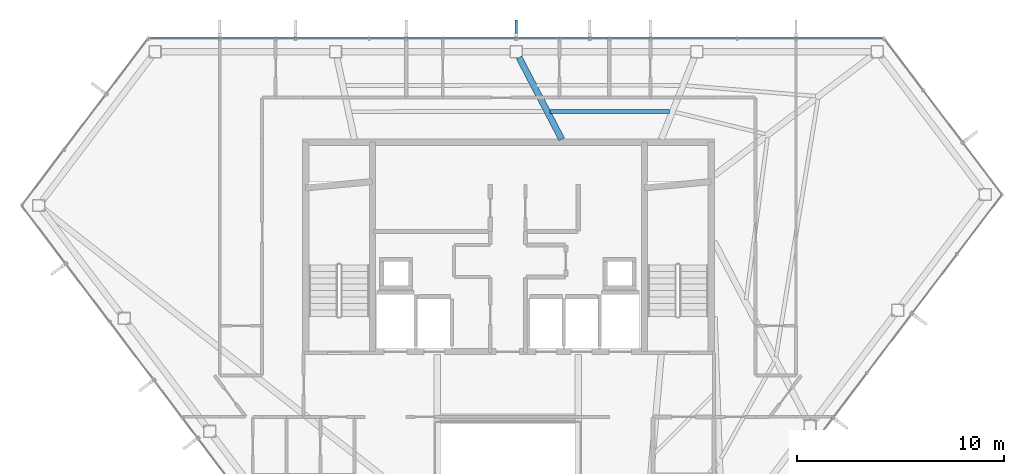
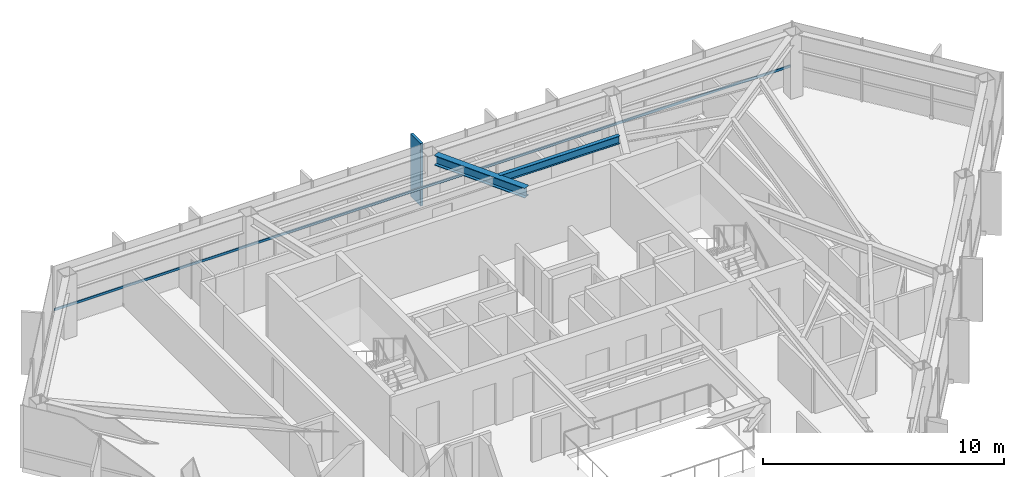
# One storey, part 12 of 25: 2 beams, 2 members, 1 element without a shape of its own.
"""IFC4 building model written with IfcOpenShell, lengths in metres."""

import ifcopenshell
import ifcopenshell.guid

model = None  # the IFC model being written
_history = None  # IfcOwnerHistory: only IFC2X3 demands one
_inside = {}  # id of a spatial element -> (the spatial element, [elements in it])
_under = {}  # id of a project, library or spatial element -> (it, [spatial elements below it])
_declared = {}  # id of a project -> (the project, [libraries it declares])
_typed = {}  # id of a type object -> (the type object, [elements of that type])
_made_of = {}  # id of a material, layer set ... -> (it, [elements and type objects made of it])


def new_model(schema):
    """Start an empty IFC model of exactly this schema.

    Asked for "IFC4X3", IfcOpenShell would pick the latest addendum, in which some entities
    have other attributes; the version numbers below select the first issue.
    IFC2X3 requires an IfcOwnerHistory on every rooted entity: one is made here for all.
    """
    global model, _history
    if schema == "IFC4X3":
        model = ifcopenshell.file(schema_version=(4, 3, 0, 0))
    else:
        model = ifcopenshell.file(schema=schema)
    _inside.clear()
    _under.clear()
    _declared.clear()
    _typed.clear()
    _made_of.clear()
    _history = None
    if model.schema == "IFC2X3":
        org = make("IfcOrganization", Name="unknown")
        user = make(
            "IfcPersonAndOrganization",
            ThePerson=make("IfcPerson", FamilyName="unknown"),
            TheOrganization=org,
        )
        app = make(
            "IfcApplication",
            ApplicationDeveloper=org,
            Version="unknown",
            ApplicationFullName="unknown",
            ApplicationIdentifier="unknown",
        )
        _history = make(
            "IfcOwnerHistory",
            OwningUser=user,
            OwningApplication=app,
            ChangeAction="ADDED",
            CreationDate=0,
        )
    return model


def make(cls, **values):
    """One entity of the class cls with the attributes given. An attribute that is None is left unset."""
    return model.create_entity(
        cls, **{name: value for name, value in values.items() if value is not None}
    )


def rooted(cls, **values):
    """An entity with a GlobalId (a new one), such as an element, a storey or a relation."""
    return make(cls, GlobalId=ifcopenshell.guid.new(), OwnerHistory=_history, **values)


def si_unit(unit_type, name, prefix=None):
    """IfcSIUnit, for example si_unit("LENGTHUNIT", "METRE", prefix="MILLI")."""
    return make("IfcSIUnit", UnitType=unit_type, Prefix=prefix, Name=name)


def assignment(units):
    """IfcUnitAssignment: the units of a project."""
    return None if units is None else make("IfcUnitAssignment", Units=units)


def point(xyz):
    """IfcCartesianPoint."""
    return None if xyz is None else make("IfcCartesianPoint", Coordinates=xyz)


def direction(xyz):
    """IfcDirection."""
    return None if xyz is None else make("IfcDirection", DirectionRatios=xyz)


def frame(location, z_axis=None, x_axis=None):
    """IfcAxis2Placement3D, a coordinate frame: its origin and axes. An axis left out is left unset."""
    return make(
        "IfcAxis2Placement3D",
        Location=point(location),
        Axis=direction(z_axis),
        RefDirection=direction(x_axis),
    )


def frame_2d(location, x_axis=None):
    """IfcAxis2Placement2D, a coordinate frame in the plane: its origin and x axis."""
    return make(
        "IfcAxis2Placement2D", Location=point(location), RefDirection=direction(x_axis)
    )


def origin():
    """The frame at (0, 0, 0) with its axes left unset."""
    return frame((0.0, 0.0, 0.0))


def origin_2d():
    """The frame at (0, 0) in the plane with its x axis left unset."""
    return frame_2d((0.0, 0.0))


def place(relative_to, where):
    """IfcLocalPlacement: puts the frame where relative to a parent placement (None: the world)."""
    return make(
        "IfcLocalPlacement", PlacementRelTo=relative_to, RelativePlacement=where
    )


def context(
    kind, dimensions, precision=None, world=None, true_north=None, identifier=None
):
    """IfcGeometricRepresentationContext, for example the 3D "Model" context."""
    return make(
        "IfcGeometricRepresentationContext",
        ContextIdentifier=identifier,
        ContextType=kind,
        CoordinateSpaceDimension=dimensions,
        Precision=precision,
        WorldCoordinateSystem=world,
        TrueNorth=true_north,
    )


def subcontext(parent, identifier, kind, view, scale=None):
    """IfcGeometricRepresentationSubContext, for example "Body" below "Model"."""
    return make(
        "IfcGeometricRepresentationSubContext",
        ContextIdentifier=identifier,
        ContextType=kind,
        ParentContext=parent,
        TargetScale=scale,
        TargetView=view,
    )


def project(units=None, contexts=None):
    """IfcProject with its units and contexts."""
    return rooted(
        "IfcProject",
        Name="project",
        RepresentationContexts=contexts,
        UnitsInContext=assignment(units),
    )


def spatial(cls, under=None, at=None, **own):
    """A site, building, storey or space (cls), placed at a placement, below another one or the project."""
    s = rooted(cls, ObjectPlacement=at, **own)
    if under is not None:
        _under.setdefault(under.id(), (under, []))[1].append(s)
    return s


def profile(cls, at=None, kind="AREA", **sizes):
    """A parametric profile (cls). Its sizes go by their IFC names, for example OverallWidth=200.0."""
    return make(cls, ProfileType=kind, Position=at, **sizes)


def rectangle(**sizes):
    """IfcRectangleProfileDef."""
    return profile("IfcRectangleProfileDef", **sizes)


def hollow_rectangle(**sizes):
    """IfcRectangleHollowProfileDef."""
    return profile("IfcRectangleHollowProfileDef", **sizes)


def i_section(**sizes):
    """IfcIShapeProfileDef."""
    return profile("IfcIShapeProfileDef", **sizes)


def extrude(swept, where, along, depth):
    """IfcExtrudedAreaSolid: the profile swept, set in the frame where, extruded along a direction by depth."""
    return make(
        "IfcExtrudedAreaSolid",
        SweptArea=swept,
        Position=where,
        ExtrudedDirection=direction(along),
        Depth=depth,
    )


def shape(context_of_items, identifier, shape_type, items):
    """IfcShapeRepresentation: the items that make up one representation, for example the "Body"."""
    return make(
        "IfcShapeRepresentation",
        ContextOfItems=context_of_items,
        RepresentationIdentifier=identifier,
        RepresentationType=shape_type,
        Items=items,
    )


def material(Name=None, Category=None):
    """IfcMaterial."""
    return make("IfcMaterial", Name=Name, Category=Category)


def layer(
    of_material, thickness, ventilated=None, Name=None, Category=None, Priority=None
):
    """IfcMaterialLayer: one layer of a wall or slab, of a material (None: an air gap)."""
    return make(
        "IfcMaterialLayer",
        Material=of_material,
        LayerThickness=thickness,
        IsVentilated=ventilated,
        Name=Name,
        Category=Category,
        Priority=Priority,
    )


def layer_set(layers, Name=None):
    """IfcMaterialLayerSet."""
    return make("IfcMaterialLayerSet", MaterialLayers=layers, LayerSetName=Name)


def material_profile(
    of_material, cross_section, Name=None, Category=None, Priority=None
):
    """IfcMaterialProfile: a cross section and its material."""
    return make(
        "IfcMaterialProfile",
        Name=Name,
        Material=of_material,
        Profile=cross_section,
        Priority=Priority,
        Category=Category,
    )


def profile_set(profiles, Name=None, composite=None):
    """IfcMaterialProfileSet."""
    return make(
        "IfcMaterialProfileSet",
        Name=Name,
        MaterialProfiles=profiles,
        CompositeProfile=composite,
    )


def made_of(thing, what):
    """Note that an element or type object is made of a material, layer set ...; save() writes the relation."""
    if what is not None:
        _made_of.setdefault(what.id(), (what, []))[1].append(thing)
    return thing


def type_object(cls, material=None, **own):
    """A type object (cls), such as IfcWallType, which elements share."""
    return made_of(rooted(cls, **own), material)


def element(
    cls,
    number,
    at=None,
    inside=None,
    cuts=None,
    type_object=None,
    material=None,
    context=None,
    identifier="Body",
    shape_type=None,
    held_by="IfcProductDefinitionShape",
    body=None,
    shapes=None,
    **own,
):
    """One element of the class cls, such as IfcWall. Its Tag is "e" and its number.

    at: its placement. inside: the storey or other place that contains it. cuts: it is an
    opening in that element (IfcRelVoidsElement). A single representation is given by context,
    identifier, shape_type and body (its items); several are given by shapes. held_by: the class
    of the entity that holds the representations. save() writes the other relations.
    """
    e = rooted(cls, Tag="e%d" % number, ObjectPlacement=at, **own)
    if body is not None:
        shapes = [shape(context, identifier, shape_type, body)]
    if shapes is not None:
        e.Representation = make(held_by, Representations=shapes)
    if inside is not None:
        _inside.setdefault(inside.id(), (inside, []))[1].append(e)
    if cuts is not None:
        rooted(
            "IfcRelVoidsElement", RelatingBuildingElement=cuts, RelatedOpeningElement=e
        )
    if type_object is not None:
        _typed.setdefault(type_object.id(), (type_object, []))[1].append(e)
    return made_of(e, material)


def aggregate(whole, parts):
    """IfcRelAggregates: a whole, such as a stair, and the parts it consists of."""
    return rooted("IfcRelAggregates", RelatingObject=whole, RelatedObjects=parts)


def save(model, path):
    """Write the relations noted so far, then the file.

    IfcRelAggregates (storeys below a building ...), IfcRelContainedInSpatialStructure (elements
    in a storey), IfcRelDefinesByType, IfcRelAssociatesMaterial and IfcRelDeclares: one each for
    every whole, place, type object, material and project.
    """
    for whole, parts in _under.values():
        aggregate(whole, parts)
    for where, things in _inside.values():
        rooted(
            "IfcRelContainedInSpatialStructure",
            RelatedElements=things,
            RelatingStructure=where,
        )
    for kind, things in _typed.values():
        rooted("IfcRelDefinesByType", RelatedObjects=things, RelatingType=kind)
    for what, things in _made_of.values():
        rooted("IfcRelAssociatesMaterial", RelatedObjects=things, RelatingMaterial=what)
    for by, libraries in _declared.values():
        rooted("IfcRelDeclares", RelatingContext=by, RelatedDefinitions=libraries)
    model.write(path)


model = new_model("IFC4")

# Units and contexts
model_context = context("Model", 3, precision=1e-05, world=origin(), true_north=direction((0.0, 1.0)))
body_context = subcontext(model_context, "Body", "Model", "MODEL_VIEW")
ifc_project = project(units=[si_unit("LENGTHUNIT", "METRE"), si_unit("AREAUNIT", "SQUARE_METRE"), si_unit("VOLUMEUNIT", "CUBIC_METRE"), si_unit("PLANEANGLEUNIT", "RADIAN"), si_unit("MASSUNIT", "GRAM", prefix="KILO")], contexts=[model_context])

# Site, building, storey
site_placement = place(None, origin())
site = spatial("IfcSite", under=ifc_project, at=site_placement, CompositionType="ELEMENT")
building_placement = place(site_placement, origin())
building = spatial("IfcBuilding", under=site, at=building_placement, Name="Zarrinselat Tower", CompositionType="ELEMENT")
storey_placement = place(building_placement, frame((0.0, 0.0, 208.760009765625)))
storey = spatial("IfcBuildingStorey", under=building, at=storey_placement, Name="L51", CompositionType="ELEMENT", Elevation=208.760009765625)

# Beams
ifc_material_1 = material(Name="Steel S355J2", Category="steel")
ifc_material_profile_1 = material_profile(ifc_material_1, i_section(OverallWidth=0.300048828125, OverallDepth=0.5, WebThickness=0.014404296875, FlangeThickness=0.028076171875, at=origin_2d()), Name="HEB 500")
ifc_profile_set_1 = profile_set([ifc_material_profile_1], Name="Steel S355J2")
beam_type_1 = type_object("IfcBeamType", Name="BM-HEB500", PredefinedType="BEAM", material=ifc_profile_set_1)
beam_1_placement = place(storey_placement, frame((38.94140625, 47.4931640625, 2.929931640625), z_axis=(0.461876966874, -0.886944004699, 0.0), x_axis=(0.886944004699, 0.461876966874, 0.0)))
element("IfcBeam", 1, at=beam_1_placement, inside=storey, type_object=beam_type_1, Name="L51 Radial Primary Girder RG03", PredefinedType="BEAM", context=body_context, shape_type="SweptSolid", body=[
    extrude(i_section(OverallWidth=0.300048828125, OverallDepth=0.5, WebThickness=0.014404296875, FlangeThickness=0.028076171875, at=origin_2d()), origin(), (0.0, 0.0, 1.0), 4.45703125),
])
ifc_material_2 = material(Name="Steel S355J2", Category="steel")
ifc_material_profile_2 = material_profile(ifc_material_2, i_section(OverallWidth=0.179931640625, OverallDepth=0.39990234375, WebThickness=0.008544921875, FlangeThickness=0.013427734375, at=origin_2d()), Name="IPE 400")
ifc_profile_set_2 = profile_set([ifc_material_profile_2], Name="Steel S355J2")
beam_type_2 = type_object("IfcBeamType", Name="BM-IPE400", PredefinedType="JOIST", material=ifc_profile_set_2)
beam_2_placement = place(storey_placement, frame((40.440185546875, 44.884033203125, 2.97998046875), z_axis=(0.999999770259, -0.000677851056, 0.0), x_axis=(0.000677851056, 0.999999770259, 0.0)))
element("IfcBeam", 2, at=beam_2_placement, inside=storey, type_object=beam_type_2, Name="L51 Composite Floor Joist 7-2", PredefinedType="JOIST", context=body_context, shape_type="SweptSolid", body=[
    extrude(i_section(OverallWidth=0.179931640625, OverallDepth=0.39990234375, WebThickness=0.008544921875, FlangeThickness=0.013427734375, at=origin_2d()), origin(), (0.0, 0.0, 1.0), 5.7626953125),
])

# Curtain wall, members
ifc_material_3 = material(Name="Extruded Aluminium Alloy EN AW-6063 T6", Category="aluminium")
ifc_layer = layer(ifc_material_3, 0.169921875)
ifc_layer_set = layer_set([ifc_layer], Name="Extruded Aluminium Alloy EN AW-6063 T6")
curtain_wall_type = type_object("IfcCurtainWallType", Name="CWS-RES", PredefinedType="NOTDEFINED", material=ifc_layer_set)
curtain_wall_placement = place(storey_placement, origin())
curtain_wall = element("IfcCurtainWall", 3, at=curtain_wall_placement, inside=storey, type_object=curtain_wall_type, Name="L51 Unitised Curtain Wall CW-L51-E01", PredefinedType="NOTDEFINED")
ifc_material_4 = material(Name="Extruded Aluminium Alloy EN AW-6063 T6", Category="aluminium")
ifc_material_profile_3 = material_profile(ifc_material_4, hollow_rectangle(XDim=0.06005859375, YDim=0.1201171875, WallThickness=0.00390625, at=origin_2d()), Name="RHS 120x60x4")
ifc_profile_set_3 = profile_set([ifc_material_profile_3], Name="Extruded Aluminium Alloy EN AW-6063 T6")
member_type_1 = type_object("IfcMemberType", Name="MEM-CW-TRN2", PredefinedType="USERDEFINED", material=ifc_profile_set_3)
member_1_placement = place(storey_placement, frame((56.451171875, 48.4111328125, 0.949951171875), z_axis=(-1.0, 0.0, 0.0), x_axis=(0.0, -1.0, 0.0)))
member_1 = element("IfcMember", 4, at=member_1_placement, type_object=member_type_1, Name="CW-L51-E01 Transom 1", ObjectType="TRANSOM", PredefinedType="USERDEFINED", context=body_context, shape_type="SweptSolid", body=[
    extrude(hollow_rectangle(XDim=0.06005859375, YDim=0.1201171875, WallThickness=0.00390625, at=origin_2d()), origin(), (0.0, 0.0, 1.0), 35.298583984375),
])
ifc_material_5 = material(Name="Honed Cream Travertine Stone", Category="masonry")
ifc_material_profile_4 = material_profile(ifc_material_5, rectangle(XDim=0.1201171875, YDim=0.85009765625, at=origin_2d()), Name="FIN 850x120")
ifc_profile_set_4 = profile_set([ifc_material_profile_4], Name="Honed Cream Travertine Stone")
member_type_2 = type_object("IfcMemberType", Name="MEM-STONE-FIN", PredefinedType="USERDEFINED", material=ifc_profile_set_4)
member_2_placement = place(storey_placement, frame((38.802001953125, 48.87109375, 0.0), z_axis=(0.0, 0.0, 1.0), x_axis=(1.0, 0.0, 0.0)))
member_2 = element("IfcMember", 5, at=member_2_placement, type_object=member_type_2, Name="L51 Stone Shading Fin CW-L51-E01-07", ObjectType="FIN", PredefinedType="USERDEFINED", context=body_context, shape_type="SweptSolid", body=[
    extrude(rectangle(XDim=0.1201171875, YDim=0.85009765625, at=origin_2d()), origin(), (0.0, 0.0, 1.0), 3.179931640625),
])
aggregate(curtain_wall, [member_2, member_1])

save(model, "model.ifc")
